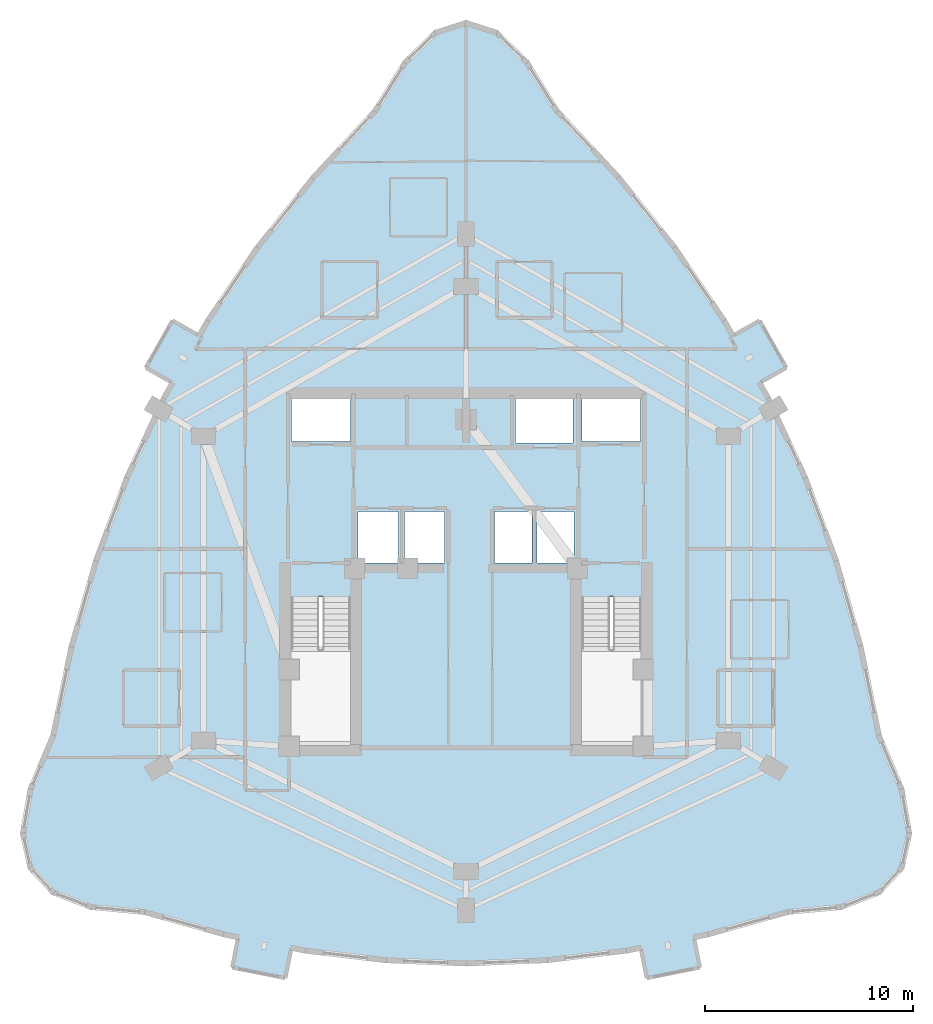
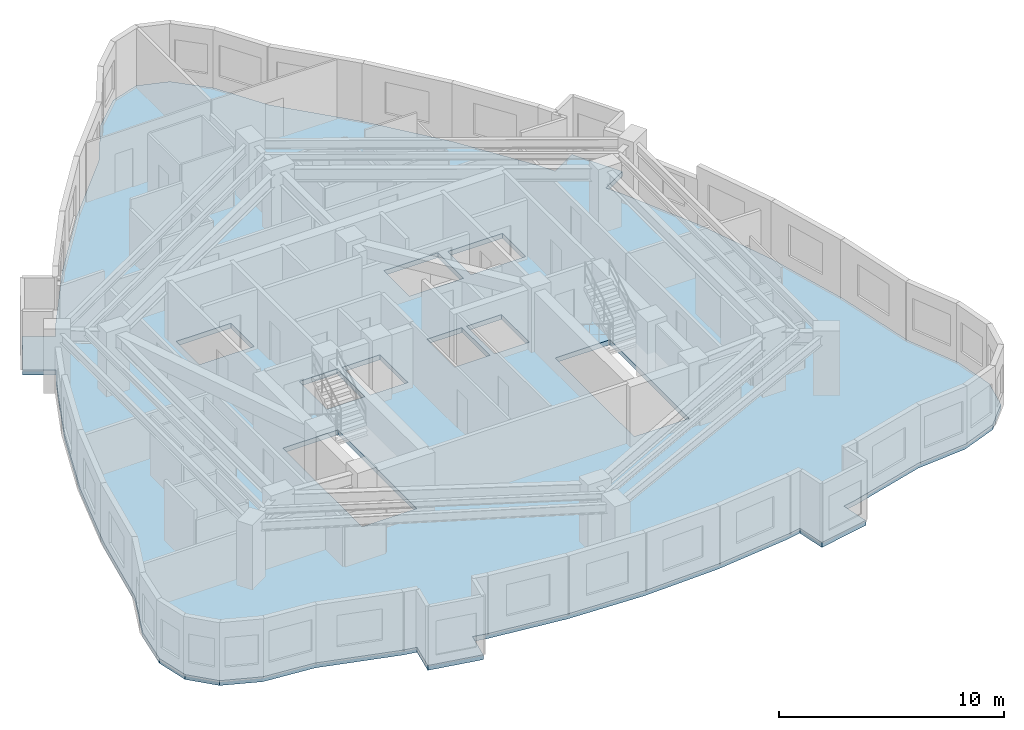
# One storey, part 3 of 10: 1 slab.
"""IFC4 building model written with IfcOpenShell, lengths in metres."""

from ifc_helpers import new_model, si_unit, direction, frame, origin, place, context, subcontext, project, spatial, polyline, outline, extrude, material, layer, layer_set, type_object, element, save


model = new_model("IFC4")

# Units and contexts
model_context = context("Model", 3, precision=1e-05, world=origin(), true_north=direction((0.0, 1.0)))
body_context = subcontext(model_context, "Body", "Model", "MODEL_VIEW")
ifc_project = project(units=[si_unit("LENGTHUNIT", "METRE"), si_unit("AREAUNIT", "SQUARE_METRE"), si_unit("VOLUMEUNIT", "CUBIC_METRE"), si_unit("PLANEANGLEUNIT", "RADIAN"), si_unit("MASSUNIT", "GRAM", prefix="KILO")], contexts=[model_context])

# Site, building, storey
site_placement = place(None, origin())
site = spatial("IfcSite", under=ifc_project, at=site_placement, CompositionType="ELEMENT")
building_placement = place(site_placement, origin())
building = spatial("IfcBuilding", under=site, at=building_placement, Name="Miruveldt Soraemaru", CompositionType="ELEMENT")
storey_placement = place(building_placement, frame((0.0, 0.0, 163.39990234375)))
storey = spatial("IfcBuildingStorey", under=building, at=storey_placement, Name="L45", CompositionType="ELEMENT", Elevation=163.39990234375)

# Slab
ifc_material = material(Name="Concrete C40/50 (40 MPa)", Category="concrete")
ifc_layer = layer(ifc_material, 0.264892578125, Name="Concrete C40/50 (40 MPa)", Category="concrete")
ifc_layer_set = layer_set([ifc_layer], Name="Concrete C40/50 (40 MPa)")
slab_type = type_object("IfcSlabType", Name="SLAB-RES2-265", PredefinedType="FLOOR", material=ifc_layer_set)
slab_placement = place(storey_placement, frame((0.0, 0.0, -0.264892578125)))
element("IfcSlab", 1, at=slab_placement, inside=storey, type_object=slab_type, Name="L45 Structural Floor Slab", PredefinedType="FLOOR", context=body_context, shape_type="SweptSolid", body=[
    extrude(outline(polyline([(32.77587890625, 24.906005859375), (33.06591796875, 26.357177734375), (32.408935546875, 26.488525390625), (28.54541015625, 27.570556640625), (26.003173828125, 27.805419921875), (24.187255859375, 28.509765625), (23.097900390625, 29.68408203125), (22.734619140625, 31.327880859375), (23.097900390625, 33.44140625), (24.187255859375, 36.0244140625), (25.06982421875, 40.31298828125), (26.252197265625, 44.447021484375), (27.734375, 48.42626953125), (29.51611328125, 52.251220703125), (30.55712890625, 54.08642578125), (29.915771484375, 52.95556640625), (28.62841796875, 53.685791015625), (29.9111328125, 55.947265625), (31.198486328125, 55.217041015625), (31.597900390625, 55.92138671875), (33.9794921875, 59.437255859375), (36.660888671875, 62.79833984375), (39.64208984375, 66.005126953125), (41.0947265625, 68.353515625), (42.54736328125, 69.762451171875), (44.0, 70.232177734375), (45.45263671875, 69.762451171875), (46.9052734375, 68.353515625), (48.35791015625, 66.005126953125), (51.339111328125, 62.79833984375), (54.0205078125, 59.437255859375), (56.402099609375, 55.92138671875), (56.801513671875, 55.217041015625), (58.0888671875, 55.947265625), (59.37158203125, 53.685791015625), (58.084228515625, 52.95556640625), (57.44287109375, 54.086181640625), (58.48388671875, 52.251220703125), (60.265625, 48.42626953125), (61.747802734375, 44.447021484375), (62.93017578125, 40.31298828125), (63.812744140625, 36.0244140625), (64.902099609375, 33.44140625), (65.265380859375, 31.327880859375), (64.902099609375, 29.68408203125), (63.812744140625, 28.509765625), (61.996826171875, 27.805419921875), (59.45458984375, 27.570556640625), (55.591064453125, 26.488525390625), (54.93408203125, 26.357177734375), (55.22412109375, 24.906005859375), (52.6748046875, 24.39599609375), (52.384521484375, 25.847412109375), (53.6591796875, 26.102294921875), (51.727294921875, 25.7158203125), (47.86376953125, 25.252197265625), (44.0, 25.09765625), (40.13623046875, 25.252197265625), (36.272705078125, 25.7158203125), (34.3408203125, 26.102294921875), (35.615478515625, 25.847412109375), (35.3251953125, 24.39599609375), (32.77587890625, 24.906005859375)]), holes=[polyline([(35.614990234375, 35.6650390625), (38.43505859375, 35.6650390625), (38.43505859375, 42.68505859375), (35.614990234375, 42.68505859375), (35.614990234375, 35.6650390625)]), polyline([(49.56494140625, 35.6650390625), (52.385009765625, 35.6650390625), (52.385009765625, 42.68505859375), (49.56494140625, 42.68505859375), (49.56494140625, 35.6650390625)]), polyline([(40.764892578125, 44.31494140625), (40.764892578125, 46.784912109375), (38.81494140625, 46.784912109375), (38.81494140625, 44.31494140625), (40.764892578125, 44.31494140625)]), polyline([(42.965087890625, 44.31494140625), (42.965087890625, 46.784912109375), (41.034912109375, 46.784912109375), (41.034912109375, 44.31494140625), (42.965087890625, 44.31494140625)]), polyline([(47.1650390625, 44.31494140625), (47.1650390625, 46.784912109375), (45.364990234375, 46.784912109375), (45.364990234375, 44.31494140625), (47.1650390625, 44.31494140625)]), polyline([(49.18505859375, 44.31494140625), (49.18505859375, 46.784912109375), (47.39501953125, 46.784912109375), (47.39501953125, 44.31494140625), (49.18505859375, 44.31494140625)]), polyline([(38.445068359375, 50.135009765625), (38.445068359375, 52.205078125), (35.635009765625, 52.205078125), (35.635009765625, 50.135009765625), (38.445068359375, 50.135009765625)]), polyline([(49.554931640625, 50.135009765625), (52.364990234375, 50.135009765625), (52.364990234375, 52.205078125), (49.554931640625, 52.205078125), (49.554931640625, 50.135009765625)]), polyline([(46.364990234375, 50.06494140625), (49.135009765625, 50.06494140625), (49.135009765625, 52.3349609375), (46.364990234375, 52.3349609375), (46.364990234375, 50.06494140625)])]), origin(), (0.0, 0.0, 1.0), 0.264892578125),
])

save(model, "model.ifc")
